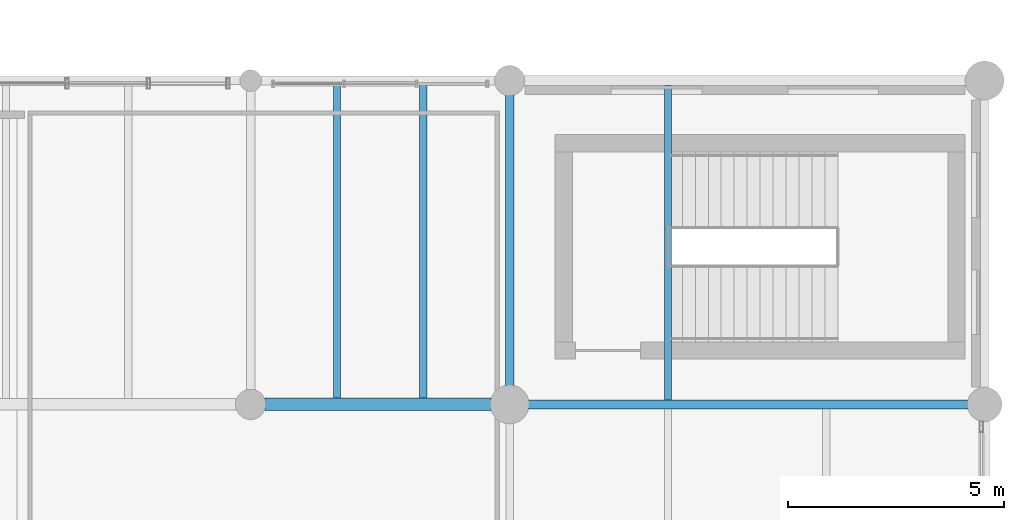
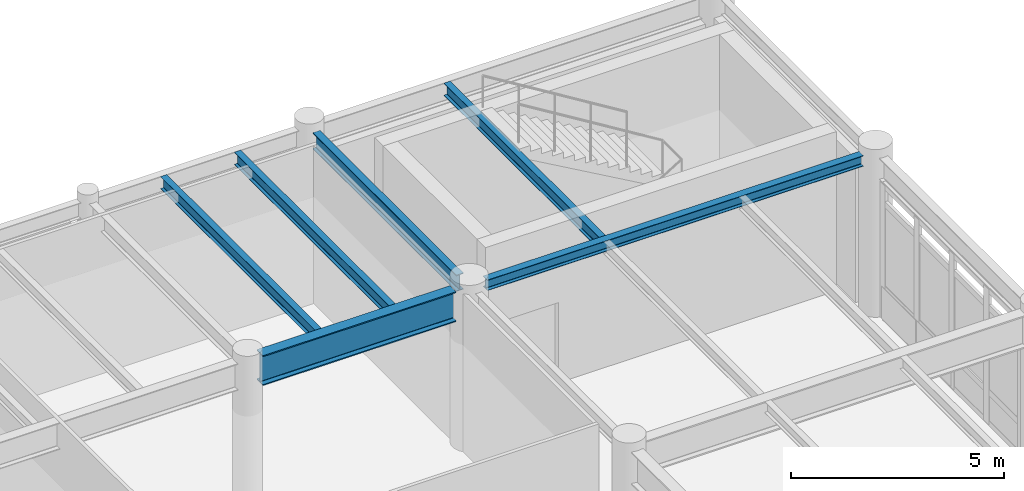
# One storey, part 132 of 200: 6 beams.
"""IFC4 building model written with IfcOpenShell, lengths in metres."""

from ifc_helpers import new_model, si_unit, direction, frame, origin, origin_2d, place, context, subcontext, project, spatial, i_section, extrude, material, material_profile, profile_set, type_object, element, save


model = new_model("IFC4")

# Units and contexts
model_context = context("Model", 3, precision=1e-05, world=origin(), true_north=direction((0.0, 1.0)))
body_context = subcontext(model_context, "Body", "Model", "MODEL_VIEW")
ifc_project = project(units=[si_unit("LENGTHUNIT", "METRE"), si_unit("AREAUNIT", "SQUARE_METRE"), si_unit("VOLUMEUNIT", "CUBIC_METRE"), si_unit("PLANEANGLEUNIT", "RADIAN"), si_unit("MASSUNIT", "GRAM", prefix="KILO"), si_unit("THERMODYNAMICTEMPERATUREUNIT", "KELVIN"), si_unit("POWERUNIT", "WATT")], contexts=[model_context])

# Site, building, storey
site_placement = place(None, origin())
site = spatial("IfcSite", under=ifc_project, at=site_placement, CompositionType="ELEMENT")
building_placement = place(site_placement, origin())
building = spatial("IfcBuilding", under=site, at=building_placement, Name="Tepalcoro Natatorium and Aquatics Centre", CompositionType="ELEMENT")
storey_placement = place(building_placement, frame((0.0, 0.0, 5.39990234375)))
storey = spatial("IfcBuildingStorey", under=building, at=storey_placement, Name="L01", CompositionType="ELEMENT", Elevation=5.39990234375)

# Beams
ifc_material = material(Name="Steel ASTM A992 Grade 50 (Fy 345 MPa)", Category="steel")
ifc_material_profile_1 = material_profile(ifc_material, i_section(OverallWidth=0.202880859375, OverallDepth=0.304931640625, WebThickness=0.007080078125, FlangeThickness=0.012939453125, FilletRadius=0.013916015625, at=origin_2d()), Name="W12X40")
ifc_profile_set_1 = profile_set([ifc_material_profile_1], Name="Steel ASTM A992 Grade 50 (Fy 345 MPa)")
beam_type_1 = type_object("IfcBeamType", Name="BM_W12x40", PredefinedType="BEAM", material=ifc_profile_set_1)
beam_1_placement = place(storey_placement, frame((165.43505859375, 51.5, 4.392578125), z_axis=(1.0, 0.0, 0.0), x_axis=(0.0, 1.0, 0.0)))
element("IfcBeam", 1, at=beam_1_placement, inside=storey, type_object=beam_type_1, Name="V2 L01 Grid Girder X", PredefinedType="BEAM", context=body_context, shape_type="SweptSolid", body=[
    extrude(i_section(OverallWidth=0.202880859375, OverallDepth=0.304931640625, WebThickness=0.007080078125, FlangeThickness=0.012939453125, FilletRadius=0.013916015625, at=origin_2d()), origin(), (0.0, 0.0, 1.0), 10.179931640625),
])
ifc_material_profile_2 = material_profile(ifc_material, i_section(OverallWidth=0.193115234375, OverallDepth=0.467041015625, WebThickness=0.010986328125, FlangeThickness=0.01904296875, FilletRadius=0.013916015625, at=origin_2d()), Name="W18X65")
ifc_profile_set_2 = profile_set([ifc_material_profile_2], Name="Steel ASTM A992 Grade 50 (Fy 345 MPa)")
beam_type_2 = type_object("IfcBeamType", Name="BM_W18x65", PredefinedType="BEAM", material=ifc_profile_set_2)
beam_2_placement = place(storey_placement, frame((165.0, 51.93505859375, 4.3115234375), z_axis=(0.0, 1.0, 0.0), x_axis=(-1.0, 0.0, 0.0)))
element("IfcBeam", 2, at=beam_2_placement, inside=storey, type_object=beam_type_2, Name="V2 L01 Grid Girder Y", PredefinedType="BEAM", context=body_context, shape_type="SweptSolid", body=[
    extrude(i_section(OverallWidth=0.193115234375, OverallDepth=0.467041015625, WebThickness=0.010986328125, FlangeThickness=0.01904296875, FilletRadius=0.013916015625, at=origin_2d()), origin(), (0.0, 0.0, 1.0), 6.72998046875),
])
ifc_material_profile_3 = material_profile(ifc_material, i_section(OverallWidth=0.2919921875, OverallDepth=0.85888671875, WebThickness=0.01708984375, FlangeThickness=0.031005859375, FilletRadius=0.013916015625, at=origin_2d()), Name="W33X169")
ifc_profile_set_3 = profile_set([ifc_material_profile_3], Name="Steel ASTM A992 Grade 50 (Fy 345 MPa)")
beam_type_3 = type_object("IfcBeamType", Name="BM_W33x169", PredefinedType="BEAM", material=ifc_profile_set_3)
beam_3_placement = place(storey_placement, frame((159.3349609375, 51.5, 4.115478515625), z_axis=(1.0, 0.0, 0.0), x_axis=(0.0, 1.0, 0.0)))
element("IfcBeam", 3, at=beam_3_placement, inside=storey, type_object=beam_type_3, Name="V2 L01 Grid Girder X", PredefinedType="BEAM", context=body_context, shape_type="SweptSolid", body=[
    extrude(i_section(OverallWidth=0.2919921875, OverallDepth=0.85888671875, WebThickness=0.01708984375, FlangeThickness=0.031005859375, FilletRadius=0.013916015625, at=origin_2d()), origin(), (0.0, 0.0, 1.0), 5.22998046875),
])
ifc_material_profile_4 = material_profile(ifc_material, i_section(OverallWidth=0.1708984375, OverallDepth=0.35107421875, WebThickness=0.007080078125, FlangeThickness=0.010009765625, FilletRadius=0.013916015625, at=origin_2d()), Name="W14X30")
ifc_profile_set_4 = profile_set([ifc_material_profile_4], Name="Steel ASTM A992 Grade 50 (Fy 345 MPa)")
beam_type_4 = type_object("IfcBeamType", Name="JS_W14x30", PredefinedType="JOIST", material=ifc_profile_set_4)
beam_4_placement = place(storey_placement, frame((161.0, 51.64599609375, 4.36962890625), z_axis=(0.0, 1.0, 0.0), x_axis=(-1.0, 0.0, 0.0)))
element("IfcBeam", 4, at=beam_4_placement, inside=storey, type_object=beam_type_4, Name="V2 L01 Floor Joist", PredefinedType="JOIST", context=body_context, shape_type="SweptSolid", body=[
    extrude(i_section(OverallWidth=0.1708984375, OverallDepth=0.35107421875, WebThickness=0.007080078125, FlangeThickness=0.010009765625, FilletRadius=0.013916015625, at=origin_2d()), origin(), (0.0, 0.0, 1.0), 7.2490234375),
])
ifc_material_profile_5 = material_profile(ifc_material, i_section(OverallWidth=0.172119140625, OverallDepth=0.35791015625, WebThickness=0.008056640625, FlangeThickness=0.012939453125, FilletRadius=0.013916015625, at=origin_2d()), Name="W14X38")
ifc_profile_set_5 = profile_set([ifc_material_profile_5], Name="Steel ASTM A992 Grade 50 (Fy 345 MPa)")
beam_type_5 = type_object("IfcBeamType", Name="JS_W14x38", PredefinedType="JOIST", material=ifc_profile_set_5)
beam_5_placement = place(storey_placement, frame((163.0, 51.64599609375, 4.3662109375), z_axis=(0.0, 1.0, 0.0), x_axis=(-1.0, 0.0, 0.0)))
element("IfcBeam", 5, at=beam_5_placement, inside=storey, type_object=beam_type_5, Name="V2 L01 Floor Joist", PredefinedType="JOIST", context=body_context, shape_type="SweptSolid", body=[
    extrude(i_section(OverallWidth=0.172119140625, OverallDepth=0.35791015625, WebThickness=0.008056640625, FlangeThickness=0.012939453125, FilletRadius=0.013916015625, at=origin_2d()), origin(), (0.0, 0.0, 1.0), 7.2490234375),
])
beam_6_placement = place(storey_placement, frame((168.666748046875, 51.6015625, 4.3662109375), z_axis=(0.0, 1.0, 0.0), x_axis=(-1.0, 0.0, 0.0)))
element("IfcBeam", 6, at=beam_6_placement, inside=storey, type_object=beam_type_5, Name="V2 L01 Floor Joist", PredefinedType="JOIST", context=body_context, shape_type="SweptSolid", body=[
    extrude(i_section(OverallWidth=0.172119140625, OverallDepth=0.35791015625, WebThickness=0.008056640625, FlangeThickness=0.012939453125, FilletRadius=0.013916015625, at=origin_2d()), origin(), (0.0, 0.0, 1.0), 7.283935546875),
])

save(model, "model.ifc")
